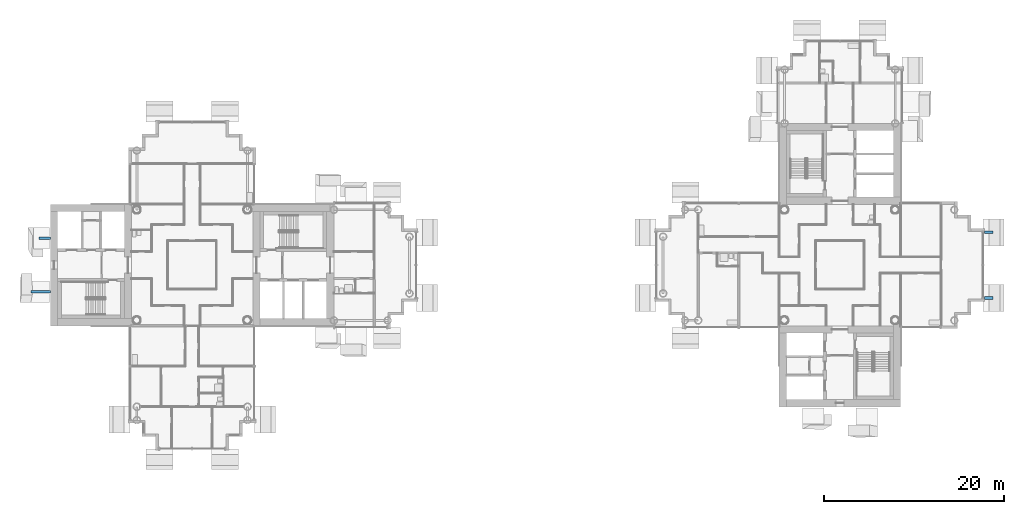
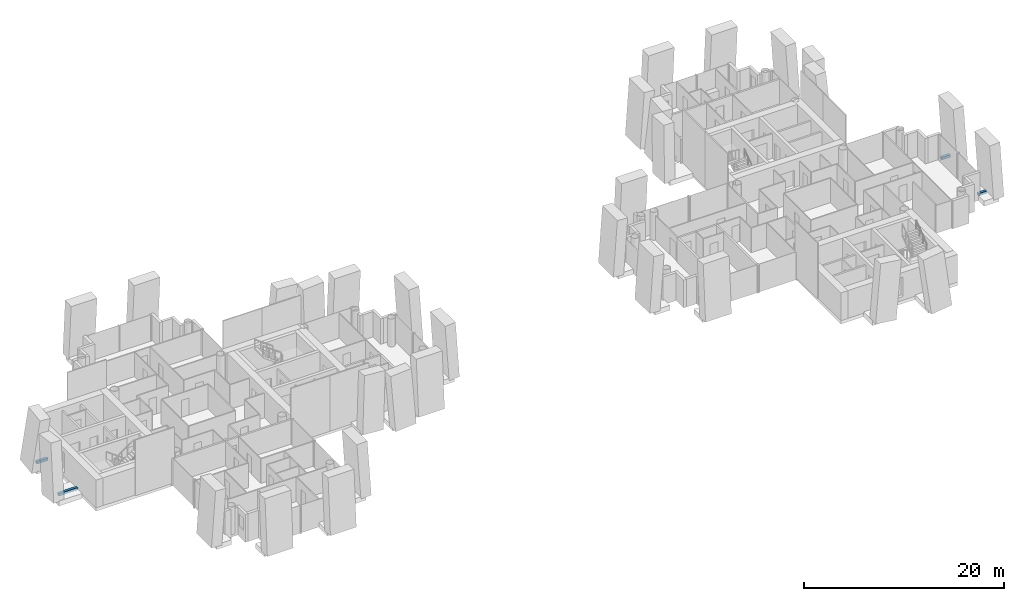
# One storey, part 12 of 19: 4 discrete accessories.
"""IFC4 building model written with IfcOpenShell, lengths in metres."""

from ifc_helpers import new_model, si_unit, direction, frame, origin, origin_2d, place, context, subcontext, project, spatial, rectangle, extrude, material, type_object, element, save


model = new_model("IFC4")

# Units and contexts
model_context = context("Model", 3, precision=1e-05, world=origin(), true_north=direction((0.0, 1.0)))
body_context = subcontext(model_context, "Body", "Model", "MODEL_VIEW")
ifc_project = project(units=[si_unit("LENGTHUNIT", "METRE"), si_unit("AREAUNIT", "SQUARE_METRE"), si_unit("VOLUMEUNIT", "CUBIC_METRE"), si_unit("PLANEANGLEUNIT", "RADIAN"), si_unit("MASSUNIT", "GRAM", prefix="KILO")], contexts=[model_context])

# Site, building, storey
site_placement = place(None, origin())
site = spatial("IfcSite", under=ifc_project, at=site_placement, CompositionType="ELEMENT")
building_placement = place(site_placement, origin())
building = spatial("IfcBuilding", under=site, at=building_placement, Name="Ipe Terrace Towers", CompositionType="ELEMENT")
storey_placement = place(building_placement, frame((0.0, 0.0, 137.10009765625)))
storey = spatial("IfcBuildingStorey", under=building, at=storey_placement, Name="L37", CompositionType="ELEMENT", Elevation=137.10009765625)

# Discrete accessories
ifc_material = material(Name="Stainless steel S316", Category="steel")
discrete_accessory_type = type_object("IfcDiscreteAccessoryType", Name="STONE FIN BRACKET", PredefinedType="BRACKET", material=ifc_material)
discrete_accessory_1_placement = place(storey_placement, frame((-52.843994140625, -2.970947265625, 0.0), z_axis=(0.0, 0.0, 1.0), x_axis=(0.0, -1.0, 0.0)))
element("IfcDiscreteAccessory", 1, at=discrete_accessory_1_placement, inside=storey, type_object=discrete_accessory_type, Name="stone fin bracket", PredefinedType="BRACKET", context=body_context, shape_type="SweptSolid", body=[
    extrude(rectangle(XDim=0.300048828125, YDim=2.187255859375, at=origin_2d()), origin(), (0.0, 0.0, 1.0), 0.300048828125),
])
discrete_accessory_2_placement = place(storey_placement, frame((-52.39892578125, 2.970947265625, 0.0), z_axis=(0.0, 0.0, 1.0), x_axis=(0.0, -1.0, 0.0)))
element("IfcDiscreteAccessory", 2, at=discrete_accessory_2_placement, inside=storey, type_object=discrete_accessory_type, Name="stone fin bracket", PredefinedType="BRACKET", context=body_context, shape_type="SweptSolid", body=[
    extrude(rectangle(XDim=0.300048828125, YDim=1.298095703125, at=origin_2d()), origin(), (0.0, 0.0, 1.0), 0.300048828125),
])
for number, where, z_axis, x_axis, name in (
    (3, (52.55908203125, -3.64990234375, 0.0), (0.0, 0.0, 1.0), (0.0, 1.0, 0.0), "stone fin bracket"),
    (4, (52.55908203125, 3.64990234375, 0.0), (0.0, 0.0, 1.0), (0.0, 1.0, 0.0), "stone fin bracket"),
):
    element("IfcDiscreteAccessory", number, at=place(storey_placement, frame(where, z_axis=z_axis, x_axis=x_axis)), inside=storey, type_object=discrete_accessory_type, Name=name, PredefinedType="BRACKET", context=body_context, shape_type="SweptSolid", body=[
        extrude(rectangle(XDim=0.300048828125, YDim=0.97802734375, at=origin_2d()), origin(), (0.0, 0.0, 1.0), 0.300048828125),
    ])

save(model, "model.ifc")
